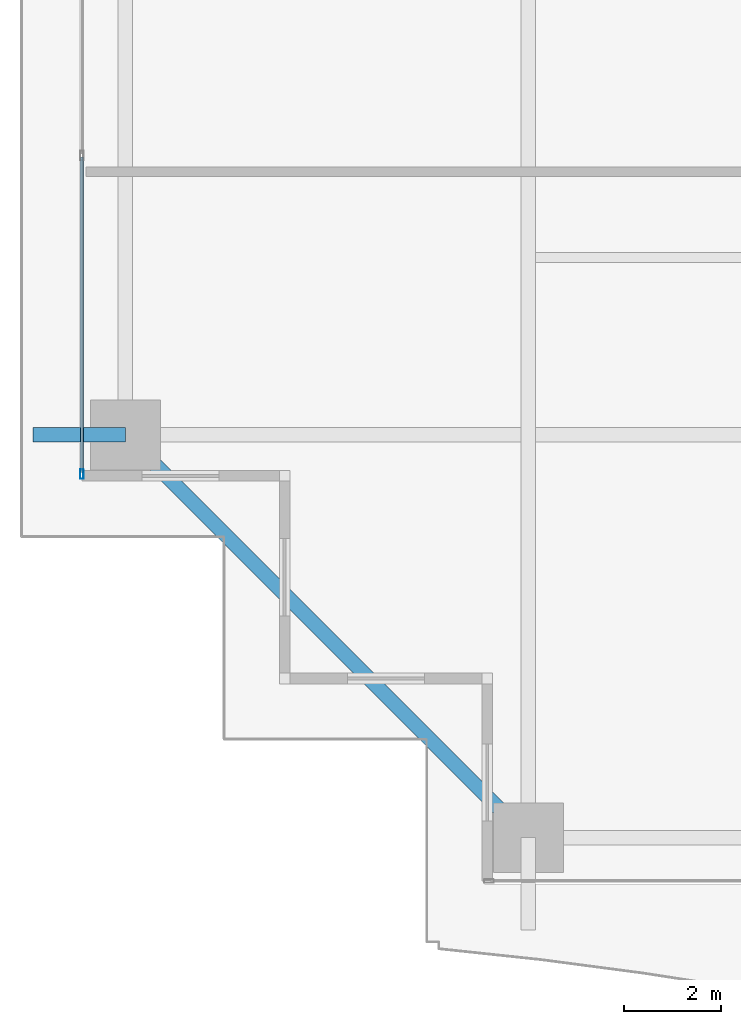
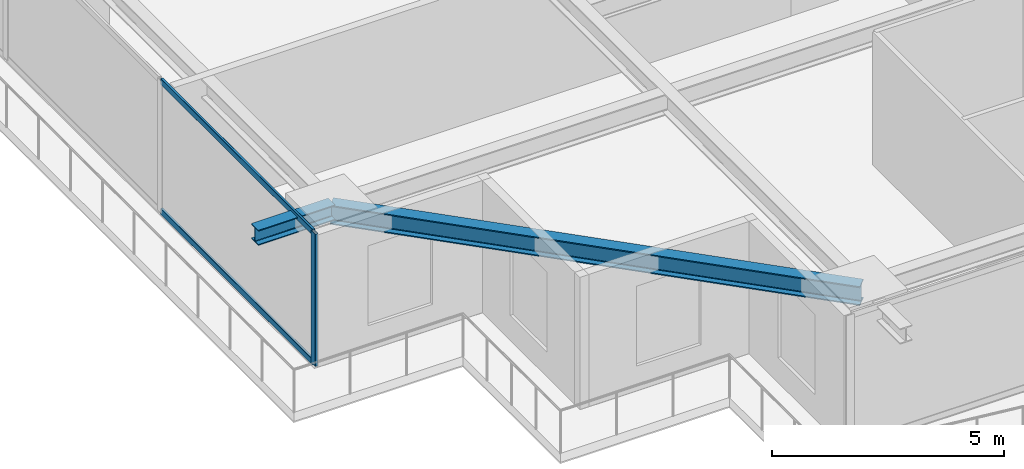
# One storey, part 3 of 39: 3 members, 2 beams, 1 element without a shape of its own.
"""IFC4 building model written with IfcOpenShell, lengths in metres."""

from ifc_helpers import new_model, si_unit, direction, frame, origin, origin_2d, place, context, subcontext, project, spatial, hollow_rectangle, i_section, extrude, source, transform, mapped, material, layer, layer_set, material_profile, profile_set, type_object, element, aggregate, save


model = new_model("IFC4")

# Units and contexts
model_context = context("Model", 3, precision=1e-05, world=origin(), true_north=direction((0.0, 1.0)))
body_context = subcontext(model_context, "Body", "Model", "MODEL_VIEW")
ifc_project = project(units=[si_unit("LENGTHUNIT", "METRE"), si_unit("AREAUNIT", "SQUARE_METRE"), si_unit("VOLUMEUNIT", "CUBIC_METRE"), si_unit("PLANEANGLEUNIT", "RADIAN"), si_unit("MASSUNIT", "GRAM", prefix="KILO")], contexts=[model_context])

# Site, building, storey
site_placement = place(None, origin())
site = spatial("IfcSite", under=ifc_project, at=site_placement, CompositionType="ELEMENT")
building_placement = place(site_placement, origin())
building = spatial("IfcBuilding", under=site, at=building_placement, Name="Serunith Strait Residences", CompositionType="ELEMENT")
storey_placement = place(building_placement, frame((0.0, 0.0, 94.199951171875)))
storey = spatial("IfcBuildingStorey", under=building, at=storey_placement, Name="L23", CompositionType="ELEMENT", Elevation=94.199951171875)

# Beams
ifc_material_1 = material(Name="Steel S355J2", Category="steel")
ifc_material_profile_1 = material_profile(ifc_material_1, i_section(OverallWidth=0.300048828125, OverallDepth=0.5, WebThickness=0.014404296875, FlangeThickness=0.028076171875, FilletRadius=0.027099609375, at=origin_2d()), Name="HEB 500")
ifc_profile_set_1 = profile_set([ifc_material_profile_1], Name="Steel S355J2")
beam_type_1 = type_object("IfcBeamType", Name="BM-HEB500", PredefinedType="BEAM", material=ifc_profile_set_1)
shared_shape_1 = source(origin(), body_context, "Body", "SweptSolid", [
    extrude(i_section(OverallWidth=0.300048828125, OverallDepth=0.5, WebThickness=0.014404296875, FlangeThickness=0.028076171875, FilletRadius=0.027099609375, at=origin_2d()), origin(), (0.0, 0.0, 1.0), 11.80859375),
])
beam_1_placement = place(storey_placement, frame((6.89990234375, 9.449951171875, 3.20703125), z_axis=(0.707117118476, -0.707096443746, 0.0), x_axis=(0.707096443746, 0.707117118476, 0.0)))
element("IfcBeam", 1, at=beam_1_placement, inside=storey, type_object=beam_type_1, Name="L23 Perimeter Ring Beam 16", PredefinedType="BEAM", context=body_context, shape_type="MappedRepresentation", body=[
    mapped(shared_shape_1, transform((0.0, 0.0, 0.0), scale=1.0)),
])
ifc_material_profile_2 = material_profile(ifc_material_1, i_section(OverallWidth=0.300048828125, OverallDepth=0.39990234375, WebThickness=0.013427734375, FlangeThickness=0.02392578125, FilletRadius=0.027099609375, at=origin_2d()), Name="HEB 400")
ifc_profile_set_2 = profile_set([ifc_material_profile_2], Name="Steel S355J2")
beam_type_2 = type_object("IfcBeamType", Name="BM-HEB400", PredefinedType="BEAM", material=ifc_profile_set_2)
shared_shape_2 = source(origin(), body_context, "Body", "SweptSolid", [
    extrude(i_section(OverallWidth=0.300048828125, OverallDepth=0.39990234375, WebThickness=0.013427734375, FlangeThickness=0.02392578125, FilletRadius=0.027099609375, at=origin_2d()), origin(), (0.0, 0.0, 1.0), 1.909912109375),
])
beam_2_placement = place(storey_placement, frame((6.89990234375, 9.449951171875, 3.257080078125), z_axis=(-1.0, 0.0, 0.0), x_axis=(0.0, -1.0, 0.0)))
element("IfcBeam", 2, at=beam_2_placement, inside=storey, type_object=beam_type_2, Name="L24 Cantilevered Balcony Rib TC-W1", PredefinedType="BEAM", context=body_context, shape_type="MappedRepresentation", body=[
    mapped(shared_shape_2, transform((0.0, 0.0, 0.0), scale=1.0)),
])

# Curtain wall, members
ifc_material_2 = material(Name="Pale-Champagne Anodised Aluminium", Category="aluminium")
ifc_layer = layer(ifc_material_2, 0.199951171875, Name="Pale-Champagne Anodised Aluminium")
ifc_layer_set = layer_set([ifc_layer], Name="Pale-Champagne Anodised Aluminium")
curtain_wall_type = type_object("IfcCurtainWallType", Name="CW-SYS1", PredefinedType="NOTDEFINED", material=ifc_layer_set)
curtain_wall_placement = place(storey_placement, origin())
curtain_wall = element("IfcCurtainWall", 3, at=curtain_wall_placement, inside=storey, type_object=curtain_wall_type, Name="L23 W Unitised Fritted Curtain Wall", PredefinedType="NOTDEFINED")
ifc_material_profile_3 = material_profile(ifc_material_2, hollow_rectangle(XDim=0.070068359375, YDim=0.199951171875, WallThickness=0.00390625, InnerFilletRadius=0.006103515625, OuterFilletRadius=0.010009765625, at=origin_2d()), Name="ALU 200x70x4")
ifc_profile_set_3 = profile_set([ifc_material_profile_3], Name="Pale-Champagne Anodised Aluminium")
member_type_1 = type_object("IfcMemberType", Name="CW-SYS1-MULL", PredefinedType="MULLION", material=ifc_profile_set_3)
shared_shape_3 = source(origin(), body_context, "Body", "SweptSolid", [
    extrude(hollow_rectangle(XDim=0.070068359375, YDim=0.199951171875, WallThickness=0.00390625, InnerFilletRadius=0.006103515625, OuterFilletRadius=0.010009765625, at=origin_2d()), origin(), (0.0, 0.0, 1.0), 3.47509765625),
])
member_1_placement = place(storey_placement, frame((6.0, 8.635009765625, 0.0), z_axis=(0.0, 0.0, 1.0), x_axis=(1.0, 0.0, 0.0)))
member_1 = element("IfcMember", 4, at=member_1_placement, type_object=member_type_1, Name="CW-1 mullion 6", PredefinedType="MULLION", context=body_context, shape_type="MappedRepresentation", body=[
    mapped(shared_shape_3, transform((0.0, 0.0, 0.0), scale=1.0)),
])
ifc_material_profile_4 = material_profile(ifc_material_2, hollow_rectangle(XDim=0.06005859375, YDim=0.159912109375, WallThickness=0.00341796875, InnerFilletRadius=0.00537109375, OuterFilletRadius=0.0087890625, at=origin_2d()), Name="ALU 160x60x3.5")
ifc_profile_set_4 = profile_set([ifc_material_profile_4], Name="Pale-Champagne Anodised Aluminium")
member_type_2 = type_object("IfcMemberType", Name="CW-SYS1-TRAN", PredefinedType="USERDEFINED", material=ifc_profile_set_4)
shared_shape_4 = source(origin(), body_context, "Body", "SweptSolid", [
    extrude(hollow_rectangle(XDim=0.06005859375, YDim=0.159912109375, WallThickness=0.00341796875, InnerFilletRadius=0.00537109375, OuterFilletRadius=0.0087890625, at=origin_2d()), origin(), (0.0, 0.0, 1.0), 6.53515625),
])
member_2_placement = place(storey_placement, frame((6.0, 15.205078125, 0.030029296875), z_axis=(0.0, -1.0, 0.0), x_axis=(1.0, 0.0, 0.0)))
member_2 = element("IfcMember", 5, at=member_2_placement, type_object=member_type_2, Name="CW-1 transom 5.1", ObjectType="TRANSOM", PredefinedType="USERDEFINED", context=body_context, shape_type="MappedRepresentation", body=[
    mapped(shared_shape_4, transform((0.0, 0.0, 0.0), scale=1.0)),
])
member_3_placement = place(storey_placement, frame((6.0, 15.205078125, 3.445068359375), z_axis=(0.0, -1.0, 0.0), x_axis=(1.0, 0.0, 0.0)))
member_3 = element("IfcMember", 6, at=member_3_placement, type_object=member_type_2, Name="CW-1 transom 5.2", ObjectType="TRANSOM", PredefinedType="USERDEFINED", context=body_context, shape_type="MappedRepresentation", body=[
    mapped(shared_shape_4, transform((0.0, 0.0, 0.0), scale=1.0)),
])
aggregate(curtain_wall, [member_1, member_2, member_3])

save(model, "model.ifc")
